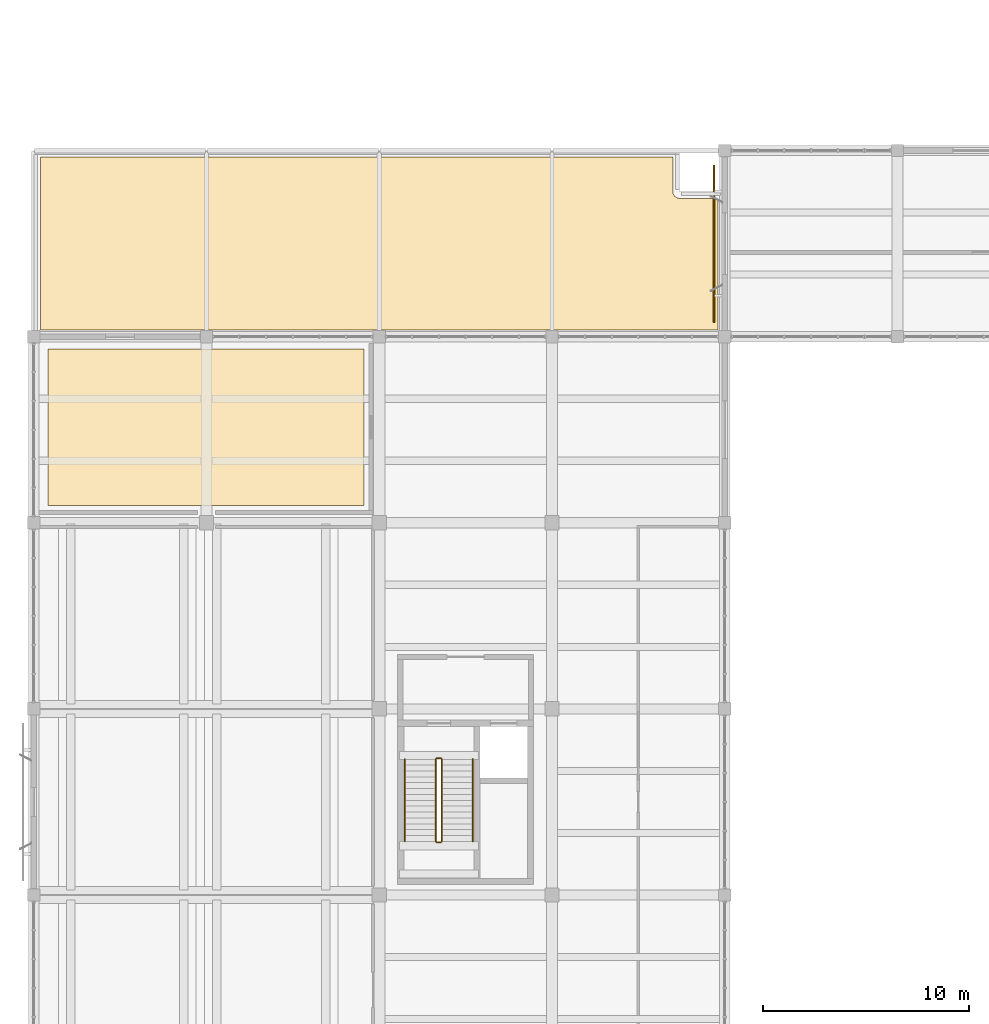
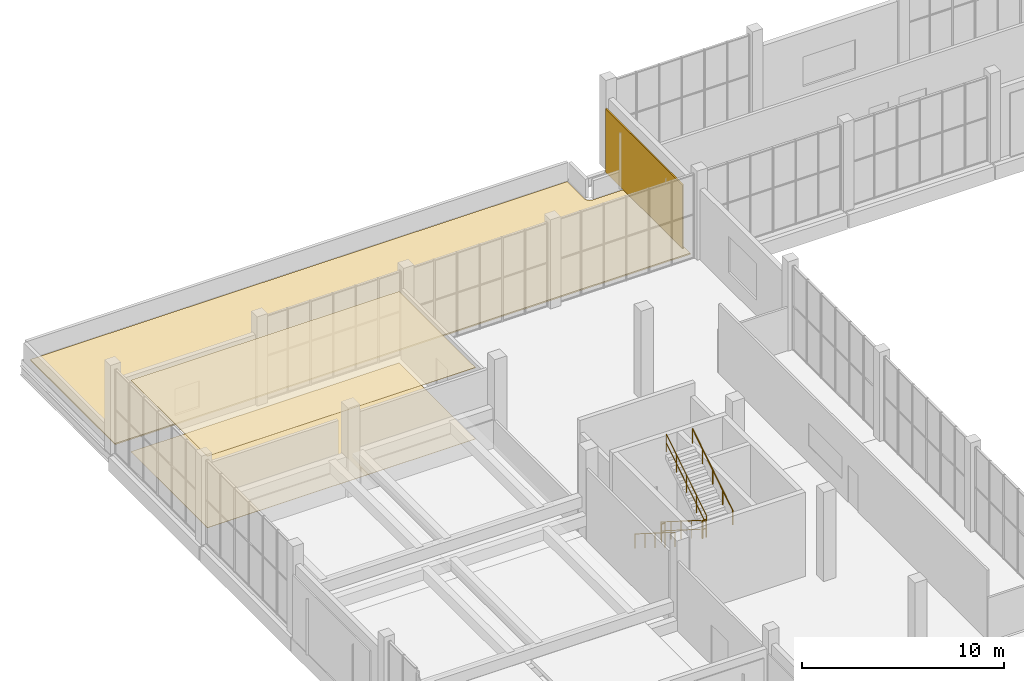
# One storey, part 128 of 132: 6 railings, 3 coverings, 1 shading device.
"""IFC4 building model written with IfcOpenShell, lengths in metres."""

from ifc_helpers import new_model, si_unit, direction, frame, origin, origin_2d, place, context, subcontext, project, spatial, polyline, rectangle, circle, outline, extrude, material, layer, layer_set, type_object, element, save


model = new_model("IFC4")

# Units and contexts
model_context = context("Model", 3, precision=1e-05, world=origin(), true_north=direction((0.0, 1.0)))
body_context = subcontext(model_context, "Body", "Model", "MODEL_VIEW")
ifc_project = project(units=[si_unit("LENGTHUNIT", "METRE"), si_unit("AREAUNIT", "SQUARE_METRE"), si_unit("VOLUMEUNIT", "CUBIC_METRE"), si_unit("PLANEANGLEUNIT", "RADIAN"), si_unit("MASSUNIT", "GRAM", prefix="KILO")], contexts=[model_context])

# Site, building, storey
site_placement = place(None, origin())
site = spatial("IfcSite", under=ifc_project, at=site_placement, CompositionType="ELEMENT")
building_placement = place(site_placement, origin())
building = spatial("IfcBuilding", under=site, at=building_placement, Name="Khurvash Pelagic Aquarium", CompositionType="ELEMENT")
storey_placement = place(building_placement, frame((0.0, 0.0, 5.39990234375)))
storey = spatial("IfcBuildingStorey", under=building, at=storey_placement, Name="L01", CompositionType="ELEMENT", Elevation=5.39990234375)

# Coverings
ifc_material_1 = material(Name="Moisture-resistant acoustic mineral-fibre ceiling", Category="finish")
ifc_layer_1 = layer(ifc_material_1, 0.02490234375)
ifc_layer_set_1 = layer_set([ifc_layer_1], Name="Moisture-resistant acoustic mineral-fibre ceiling")
covering_type_1 = type_object("IfcCoveringType", Name="CV-CLG", PredefinedType="CEILING", material=ifc_layer_set_1)
covering_1_placement = place(storey_placement, frame((0.0, 0.0, 4.3251953125)))
element("IfcCovering", 1, at=covering_1_placement, inside=storey, type_object=covering_type_1, Name="L01 Projection and Interpretation Booth Suspended Acoustic Ceiling", PredefinedType="CEILING", context=body_context, shape_type="SweptSolid", body=[
    extrude(outline(polyline([(16.050048828125, 84.89990234375), (16.050048828125, 92.5), (0.699951171875, 92.5), (0.699951171875, 84.89990234375), (16.050048828125, 84.89990234375)])), origin(), (0.0, 0.0, 1.0), 0.02490234375),
])
ifc_material_2 = material(Name="Slip-resistant terrazzo and epoxy resin flooring", Category="finish")
ifc_layer_2 = layer(ifc_material_2, 0.02001953125)
ifc_layer_set_2 = layer_set([ifc_layer_2], Name="Slip-resistant terrazzo and epoxy resin flooring")
covering_type_2 = type_object("IfcCoveringType", Name="CV-FLR", PredefinedType="FLOORING", material=ifc_layer_set_2)
covering_2_placement = place(storey_placement, origin())
element("IfcCovering", 2, at=covering_2_placement, inside=storey, type_object=covering_type_2, Name="L01 Projection and Interpretation Booth Terrazzo Floor Finish", PredefinedType="FLOORING", context=body_context, shape_type="SweptSolid", body=[
    extrude(outline(polyline([(16.050048828125, 84.89990234375), (16.050048828125, 92.5), (0.699951171875, 92.5), (0.699951171875, 84.89990234375), (16.050048828125, 84.89990234375)])), origin(), (0.0, 0.0, 1.0), 0.02001953125),
])
ifc_material_3 = material(Name="TPO waterproof membrane and XPS rigid insulation", Category="insulation")
ifc_layer_3 = layer(ifc_material_3, 0.080078125)
ifc_layer_set_3 = layer_set([ifc_layer_3], Name="TPO waterproof membrane and XPS rigid insulation")
covering_type_3 = type_object("IfcCoveringType", Name="CV-RF01", PredefinedType="ROOFING", material=ifc_layer_set_3)
covering_3_placement = place(storey_placement, origin())
element("IfcCovering", 3, at=covering_3_placement, inside=storey, type_object=covering_type_3, Name="L01 Insulated TPO Roof Membrane SLB-ROOF-L01-1-1", PredefinedType="ROOFING", context=body_context, shape_type="SweptSolid", body=[
    extrude(outline(polyline([(33.280029296875, 93.419921875), (0.320068359375, 93.419921875), (0.320068359375, 101.830078125), (31.080078125, 101.830078125), (31.080078125, 100.14990234375), (31.08203125, 100.118896484375), (31.0859375, 100.087890625), (31.093994140625, 100.056884765625), (31.10400390625, 100.028076171875), (31.117919921875, 99.9990234375), (31.134033203125, 99.971923828125), (31.153076171875, 99.947021484375), (31.174072265625, 99.924072265625), (31.197021484375, 99.903076171875), (31.221923828125, 99.884033203125), (31.2490234375, 99.867919921875), (31.278076171875, 99.85400390625), (31.306884765625, 99.843994140625), (31.337890625, 99.8359375), (31.368896484375, 99.83203125), (31.39990234375, 99.830078125), (33.280029296875, 99.830078125), (33.280029296875, 93.419921875)])), origin(), (0.0, 0.0, 1.0), 0.080078125),
])

# Railings
ifc_material_4 = material(Name="Powder-coated galvanised steel S355J2", Category="steel")
railing_type_1 = type_object("IfcRailingType", Name="GR-01", PredefinedType="GUARDRAIL", material=ifc_material_4)
railing_1_placement = place(storey_placement, frame((19.550048828125, 72.550048828125, 0.18017578125)))
element("IfcRailing", 4, at=railing_1_placement, inside=storey, type_object=railing_type_1, Name="L01 ST-05 stair guard 1", PredefinedType="GUARDRAIL", context=body_context, shape_type="SweptSolid", body=[
    extrude(circle(Radius=0.02392578125, at=origin_2d()), frame((0.0, 0.0, 1.076171875), z_axis=(0.0, -0.845486444383, 0.533996884227), x_axis=(1.0, 0.0, 0.0)), (0.0, 0.0, 1.0), 4.71923828125),
    extrude(circle(Radius=0.02392578125, at=origin_2d()), frame((0.0, 0.0, 0.5380859375), z_axis=(0.0, -0.845486444383, 0.533996884227), x_axis=(1.0, 0.0, 0.0)), (0.0, 0.0, 1.0), 4.71923828125),
    extrude(circle(Radius=0.02099609375, at=origin_2d()), origin(), (0.0, 0.0, 1.0), 1.052001953125),
    extrude(circle(Radius=0.02099609375, at=origin_2d()), frame((0.0, -0.99755859375, 0.6298828125)), (0.0, 0.0, 1.0), 1.052001953125),
    extrude(circle(Radius=0.02099609375, at=origin_2d()), frame((0.0, -1.9951171875, 1.260009765625)), (0.0, 0.0, 1.0), 1.052001953125),
    extrude(circle(Radius=0.02099609375, at=origin_2d()), frame((0.0, -2.992431640625, 1.89013671875)), (0.0, 0.0, 1.0), 1.052001953125),
    extrude(circle(Radius=0.02099609375, at=origin_2d()), frame((0.0, -3.989990234375, 2.52001953125)), (0.0, 0.0, 1.0), 1.052001953125),
])
railing_2_placement = place(storey_placement, frame((19.60009765625, 68.510009765625, 2.7001953125)))
element("IfcRailing", 5, at=railing_2_placement, inside=storey, type_object=railing_type_1, Name="L01 ST-05 stair guard 2", PredefinedType="GUARDRAIL", context=body_context, shape_type="SweptSolid", body=[
    extrude(circle(Radius=0.02392578125, at=origin_2d()), frame((0.0, 0.0, 1.076171875), z_axis=(1.0, 0.0, 0.0), x_axis=(0.0, 1.0, 0.0)), (0.0, 0.0, 1.0), 0.199951171875),
    extrude(circle(Radius=0.02392578125, at=origin_2d()), frame((0.0, 0.0, 0.5380859375), z_axis=(1.0, 0.0, 0.0), x_axis=(0.0, 1.0, 0.0)), (0.0, 0.0, 1.0), 0.199951171875),
    extrude(circle(Radius=0.02099609375, at=origin_2d()), origin(), (0.0, 0.0, 1.0), 1.052001953125),
    extrude(circle(Radius=0.02099609375, at=origin_2d()), frame((0.199951171875, 0.0, 0.0)), (0.0, 0.0, 1.0), 1.052001953125),
])
railing_3_placement = place(storey_placement, frame((19.85009765625, 68.56005859375, 2.880126953125)))
element("IfcRailing", 6, at=railing_3_placement, inside=storey, type_object=railing_type_1, Name="L01 ST-05 stair guard 3", PredefinedType="GUARDRAIL", context=body_context, shape_type="SweptSolid", body=[
    extrude(circle(Radius=0.02392578125, at=origin_2d()), frame((0.0, 0.0, 1.076171875), z_axis=(0.0, 0.845486444383, 0.533996884227), x_axis=(-1.0, 0.0, 0.0)), (0.0, 0.0, 1.0), 4.71923828125),
    extrude(circle(Radius=0.02392578125, at=origin_2d()), frame((0.0, 0.0, 0.5380859375), z_axis=(0.0, 0.845486444383, 0.533996884227), x_axis=(-1.0, 0.0, 0.0)), (0.0, 0.0, 1.0), 4.71923828125),
    extrude(circle(Radius=0.02099609375, at=origin_2d()), origin(), (0.0, 0.0, 1.0), 1.052001953125),
    extrude(circle(Radius=0.02099609375, at=origin_2d()), frame((0.0, 0.99755859375, 0.6298828125)), (0.0, 0.0, 1.0), 1.052001953125),
    extrude(circle(Radius=0.02099609375, at=origin_2d()), frame((0.0, 1.9951171875, 1.260009765625)), (0.0, 0.0, 1.0), 1.052001953125),
    extrude(circle(Radius=0.02099609375, at=origin_2d()), frame((0.0, 2.992431640625, 1.89013671875)), (0.0, 0.0, 1.0), 1.052001953125),
    extrude(circle(Radius=0.02099609375, at=origin_2d()), frame((0.0, 3.989990234375, 2.52001953125)), (0.0, 0.0, 1.0), 1.052001953125),
])
railing_4_placement = place(storey_placement, frame((19.60009765625, 72.60009765625, 0.0)))
element("IfcRailing", 7, at=railing_4_placement, inside=storey, type_object=railing_type_1, Name="L01 ST-05 stair guard 4", PredefinedType="GUARDRAIL", context=body_context, shape_type="SweptSolid", body=[
    extrude(circle(Radius=0.02392578125, at=origin_2d()), frame((0.0, 0.0, 1.076171875), z_axis=(1.0, 0.0, 0.0), x_axis=(0.0, 1.0, 0.0)), (0.0, 0.0, 1.0), 0.199951171875),
    extrude(circle(Radius=0.02392578125, at=origin_2d()), frame((0.0, 0.0, 0.5380859375), z_axis=(1.0, 0.0, 0.0), x_axis=(0.0, 1.0, 0.0)), (0.0, 0.0, 1.0), 0.199951171875),
    extrude(circle(Radius=0.02099609375, at=origin_2d()), origin(), (0.0, 0.0, 1.0), 1.052001953125),
    extrude(circle(Radius=0.02099609375, at=origin_2d()), frame((0.199951171875, 0.0, 0.0)), (0.0, 0.0, 1.0), 1.052001953125),
])
ifc_material_5 = material(Name="Brushed stainless steel 316", Category="steel")
railing_type_2 = type_object("IfcRailingType", Name="HR-01", PredefinedType="HANDRAIL", material=ifc_material_5)
railing_5_placement = place(storey_placement, frame((18.050048828125, 72.550048828125, 0.18017578125)))
element("IfcRailing", 8, at=railing_5_placement, inside=storey, type_object=railing_type_2, Name="L01 ST-05 stair handrail 1", PredefinedType="HANDRAIL", context=body_context, shape_type="SweptSolid", body=[
    extrude(circle(Radius=0.02392578125, at=origin_2d()), frame((0.0, 0.0, 0.8759765625), z_axis=(0.0, -0.845486444383, 0.533996884227), x_axis=(1.0, 0.0, 0.0)), (0.0, 0.0, 1.0), 4.71923828125),
    extrude(circle(Radius=0.02099609375, at=origin_2d()), origin(), (0.0, 0.0, 1.0), 0.851806640625),
    extrude(circle(Radius=0.02099609375, at=origin_2d()), frame((0.0, -0.99755859375, 0.6298828125)), (0.0, 0.0, 1.0), 0.851806640625),
    extrude(circle(Radius=0.02099609375, at=origin_2d()), frame((0.0, -1.9951171875, 1.260009765625)), (0.0, 0.0, 1.0), 0.851806640625),
    extrude(circle(Radius=0.02099609375, at=origin_2d()), frame((0.0, -2.992431640625, 1.89013671875)), (0.0, 0.0, 1.0), 0.851806640625),
    extrude(circle(Radius=0.02099609375, at=origin_2d()), frame((0.0, -3.989990234375, 2.52001953125)), (0.0, 0.0, 1.0), 0.851806640625),
])
railing_6_placement = place(storey_placement, frame((21.35009765625, 68.56005859375, 2.880126953125)))
element("IfcRailing", 9, at=railing_6_placement, inside=storey, type_object=railing_type_2, Name="L01 ST-05 stair handrail 2", PredefinedType="HANDRAIL", context=body_context, shape_type="SweptSolid", body=[
    extrude(circle(Radius=0.02392578125, at=origin_2d()), frame((0.0, 0.0, 0.8759765625), z_axis=(0.0, 0.845486444383, 0.533996884227), x_axis=(-1.0, 0.0, 0.0)), (0.0, 0.0, 1.0), 4.71923828125),
    extrude(circle(Radius=0.02099609375, at=origin_2d()), origin(), (0.0, 0.0, 1.0), 0.851806640625),
    extrude(circle(Radius=0.02099609375, at=origin_2d()), frame((0.0, 0.99755859375, 0.6298828125)), (0.0, 0.0, 1.0), 0.851806640625),
    extrude(circle(Radius=0.02099609375, at=origin_2d()), frame((0.0, 1.9951171875, 1.260009765625)), (0.0, 0.0, 1.0), 0.851806640625),
    extrude(circle(Radius=0.02099609375, at=origin_2d()), frame((0.0, 2.992431640625, 1.89013671875)), (0.0, 0.0, 1.0), 0.851806640625),
    extrude(circle(Radius=0.02099609375, at=origin_2d()), frame((0.0, 3.989990234375, 2.52001953125)), (0.0, 0.0, 1.0), 0.851806640625),
])

# Shading device
ifc_material_6 = material(Name="Extruded anodised aluminium fin", Category="aluminium")
ifc_layer_4 = layer(ifc_material_6, 0.074951171875)
ifc_layer_set_4 = layer_set([ifc_layer_4], Name="Extruded anodised aluminium fin")
shading_device_type = type_object("IfcShadingDeviceType", Name="SH-FIN", PredefinedType="USERDEFINED", material=ifc_layer_set_4)
shading_device_placement = place(storey_placement, frame((33.080078125, 97.625, 0.199951171875), z_axis=(0.0, 0.0, 1.0), x_axis=(0.0, -1.0, 0.0)))
element("IfcShadingDevice", 10, at=shading_device_placement, inside=storey, type_object=shading_device_type, Name="L01 Perforated Aluminium Jali Screen SH-FIN 0005", ObjectType="SOLAR FIN", PredefinedType="USERDEFINED", context=body_context, shape_type="SweptSolid", body=[
    extrude(rectangle(XDim=7.639892578125, YDim=0.074951171875, at=origin_2d()), origin(), (0.0, 0.0, 1.0), 3.85009765625),
])

save(model, "model.ifc")
